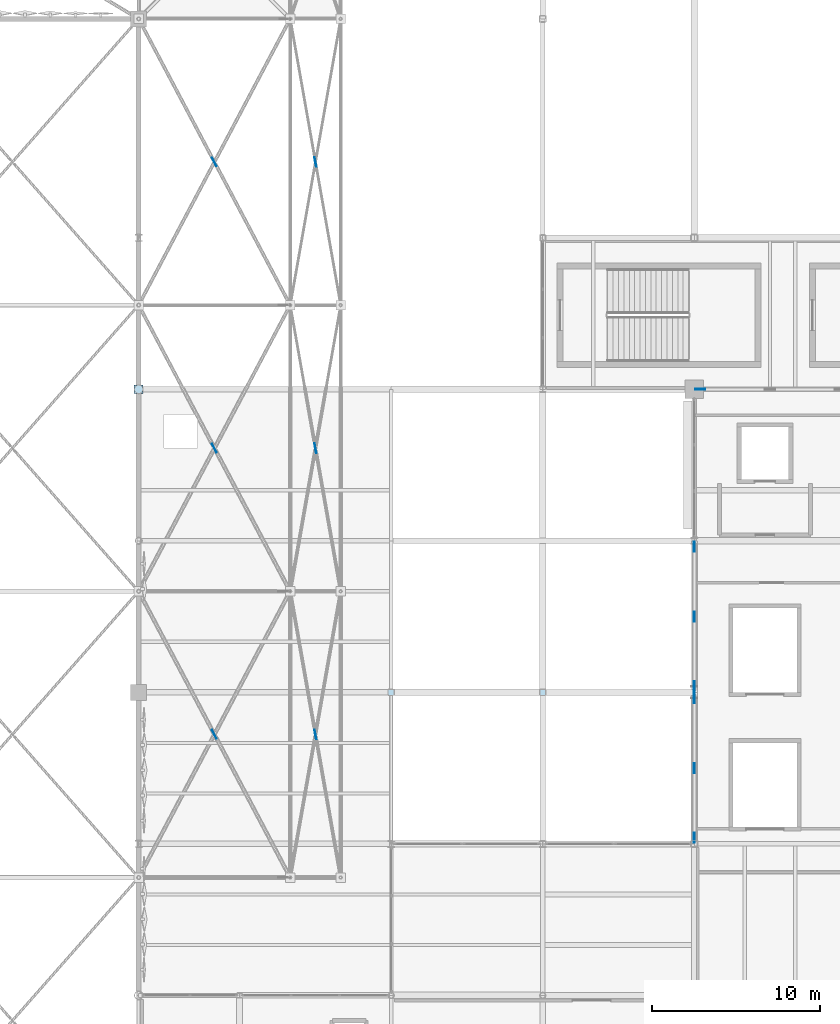
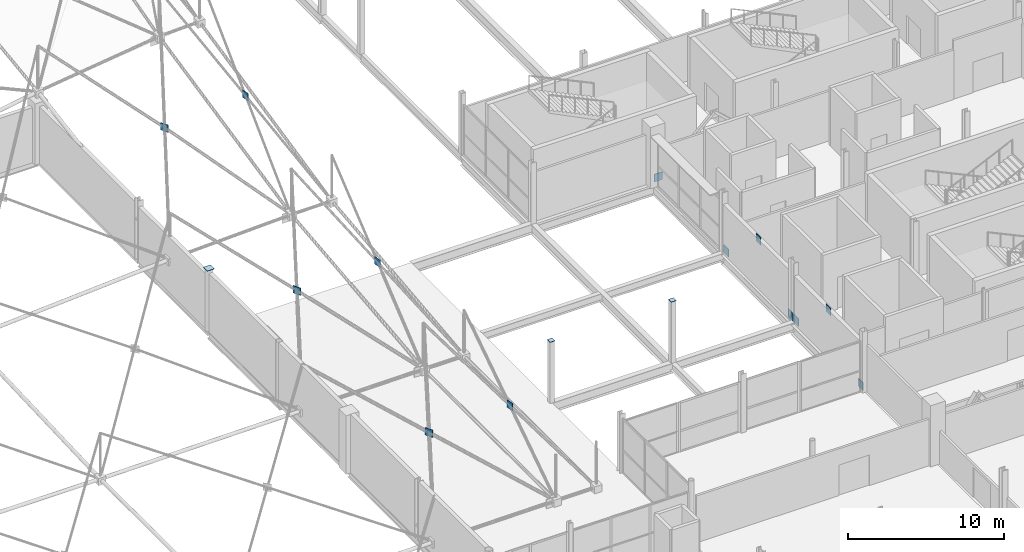
# One storey, part 191 of 224: 16 plates.
"""IFC4 building model written with IfcOpenShell, lengths in metres."""

from ifc_helpers import new_model, si_unit, direction, frame, origin, origin_2d, place, context, subcontext, project, spatial, rectangle, extrude, material, layer, layer_set, type_object, element, save


model = new_model("IFC4")

# Units and contexts
model_context = context("Model", 3, precision=1e-05, world=origin(), true_north=direction((0.0, 1.0)))
body_context = subcontext(model_context, "Body", "Model", "MODEL_VIEW")
ifc_project = project(units=[si_unit("LENGTHUNIT", "METRE"), si_unit("AREAUNIT", "SQUARE_METRE"), si_unit("VOLUMEUNIT", "CUBIC_METRE"), si_unit("PLANEANGLEUNIT", "RADIAN"), si_unit("MASSUNIT", "GRAM", prefix="KILO")], contexts=[model_context])

# Site, building, storey
site_placement = place(None, origin())
site = spatial("IfcSite", under=ifc_project, at=site_placement, CompositionType="ELEMENT")
building_placement = place(site_placement, origin())
building = spatial("IfcBuilding", under=site, at=building_placement, Name="Qamarlyn Nura Convention Centre", CompositionType="ELEMENT")
storey_placement = place(building_placement, frame((0.0, 0.0, 10.800048828125)))
storey = spatial("IfcBuildingStorey", under=building, at=storey_placement, Name="L02", CompositionType="ELEMENT", Elevation=10.800048828125)

# Plates
ifc_material = material(Name="Structural steel ASTM A572 Grade 50", Category="steel")
ifc_layer_1 = layer(ifc_material, 0.02490234375, Name="GP-CAP-25")
ifc_layer_set_1 = layer_set([ifc_layer_1], Name="Structural steel ASTM A572 Grade 50")
plate_type_1 = type_object("IfcPlateType", Name="GP-CAP-25", PredefinedType="USERDEFINED", material=ifc_layer_set_1)
plate_placement = place(storey_placement, frame((120.0, 81.0, 4.800048828125), z_axis=(0.0, 0.0, 1.0), x_axis=(1.0, 0.0, 0.0)))
element("IfcPlate", 1, at=plate_placement, inside=storey, type_object=plate_type_1, Name="L02 column welded end-cap plate 9/K", ObjectType="END CAP PLATE", PredefinedType="USERDEFINED", context=body_context, shape_type="SweptSolid", body=[
    extrude(rectangle(XDim=0.528076171875, YDim=0.528076171875, at=origin_2d()), origin(), (0.0, 0.0, 1.0), 0.02490234375),
])
for number, where, z_axis, x_axis, name in (
    (2, (135.0, 63.0, 4.800048828125), (0.0, 0.0, 1.0), (1.0, 0.0, 0.0), "L02 column welded end-cap plate 11/H"),
    (3, (144.0, 63.0, 4.800048828125), (0.0, 0.0, 1.0), (1.0, 0.0, 0.0), "L02 column welded end-cap plate 12/H"),
):
    element("IfcPlate", number, at=place(storey_placement, frame(where, z_axis=z_axis, x_axis=x_axis)), inside=storey, type_object=plate_type_1, Name=name, ObjectType="END CAP PLATE", PredefinedType="USERDEFINED", context=body_context, shape_type="SweptSolid", body=[
        extrude(rectangle(XDim=0.3701171875, YDim=0.3701171875, at=origin_2d()), origin(), (0.0, 0.0, 1.0), 0.02490234375),
    ])
ifc_layer_2 = layer(ifc_material, 0.035888671875, Name="GP-SN1")
ifc_layer_set_2 = layer_set([ifc_layer_2], Name="Structural steel ASTM A572 Grade 50")
plate_type_2 = type_object("IfcPlateType", Name="GP-SN1", PredefinedType="USERDEFINED", material=ifc_layer_set_2)
for number, where, z_axis, x_axis, name in (
    (4, (124.5, 60.5, 2.4814453125), (0.0, 0.0, 1.0), (-0.467888167267, 0.88378767978, 0.0), "Space frame X-brace crossing gusset plate 10-4"),
    (5, (124.5, 77.5, 3.32470703125), (0.0, 0.0, 1.0), (-0.467888167267, 0.88378767978, 0.0), "Space frame X-brace crossing gusset plate 10-5"),
    (6, (124.5, 94.5, 5.7939453125), (0.0, 0.0, 1.0), (-0.467888167267, 0.88378767978, 0.0), "Space frame X-brace crossing gusset plate 10-6"),
    (7, (130.5, 60.5, 2.51806640625), (0.0, 0.0, 1.0), (-0.173785681076, 0.984783497553, 0.0), "Space frame X-brace crossing gusset plate 11-4"),
    (8, (130.5, 77.5, 3.4365234375), (0.0, 0.0, 1.0), (-0.173785681076, 0.984783497553, 0.0), "Space frame X-brace crossing gusset plate 11-5"),
    (9, (130.5, 94.5, 6.210693359375), (0.0, 0.0, 1.0), (-0.173785681076, 0.984783497553, 0.0), "Space frame X-brace crossing gusset plate 11-6"),
):
    element("IfcPlate", number, at=place(storey_placement, frame(where, z_axis=z_axis, x_axis=x_axis)), inside=storey, type_object=plate_type_2, Name=name, ObjectType="GUSSET PLATE", PredefinedType="USERDEFINED", context=body_context, shape_type="SweptSolid", body=[
        extrude(rectangle(XDim=0.580078125, YDim=0.035888671875, at=origin_2d()), origin(), (0.0, 0.0, 1.0), 0.580078125),
    ])
ifc_layer_3 = layer(ifc_material, 0.044921875, Name="GP-TN1")
ifc_layer_set_3 = layer_set([ifc_layer_3], Name="Structural steel ASTM A572 Grade 50")
plate_type_3 = type_object("IfcPlateType", Name="GP-TN1", PredefinedType="USERDEFINED", material=ifc_layer_set_3)
for number, where, z_axis, x_axis, name in (
    (10, (153.0, 63.360107421875, 0.0), (0.0, 0.0, 1.0), (0.0, 1.0, 0.0), "SCBF chevron brace gusset plate CBF-E2-L02-A"),
    (11, (153.0, 71.639892578125, 0.0), (0.0, 0.0, 1.0), (0.0, 1.0, 0.0), "SCBF chevron brace gusset plate CBF-E2-L02-B"),
    (12, (153.0, 67.5, 3.40478515625), (0.0, 0.0, 1.0), (0.0, 1.0, 0.0), "SCBF chevron brace gusset plate CBF-E2-L02-M"),
    (13, (153.0, 54.360107421875, 0.0), (0.0, 0.0, 1.0), (0.0, 1.0, 0.0), "SCBF chevron brace gusset plate CBF-E3-L02-A"),
    (14, (153.0, 62.639892578125, 0.0), (0.0, 0.0, 1.0), (0.0, 1.0, 0.0), "SCBF chevron brace gusset plate CBF-E3-L02-B"),
    (15, (153.0, 58.5, 3.326904296875), (0.0, 0.0, 1.0), (0.0, 1.0, 0.0), "SCBF chevron brace gusset plate CBF-E3-L02-M"),
    (16, (153.360107421875, 81.0, 0.0), (0.0, 0.0, 1.0), (1.0, 0.0, 0.0), "SCBF chevron brace gusset plate CBF-N1-L02-A"),
):
    element("IfcPlate", number, at=place(storey_placement, frame(where, z_axis=z_axis, x_axis=x_axis)), inside=storey, type_object=plate_type_3, Name=name, ObjectType="GUSSET PLATE", PredefinedType="USERDEFINED", context=body_context, shape_type="SweptSolid", body=[
        extrude(rectangle(XDim=0.60009765625, YDim=0.044921875, at=origin_2d()), origin(), (0.0, 0.0, 1.0), 0.60009765625),
    ])

save(model, "model.ifc")
